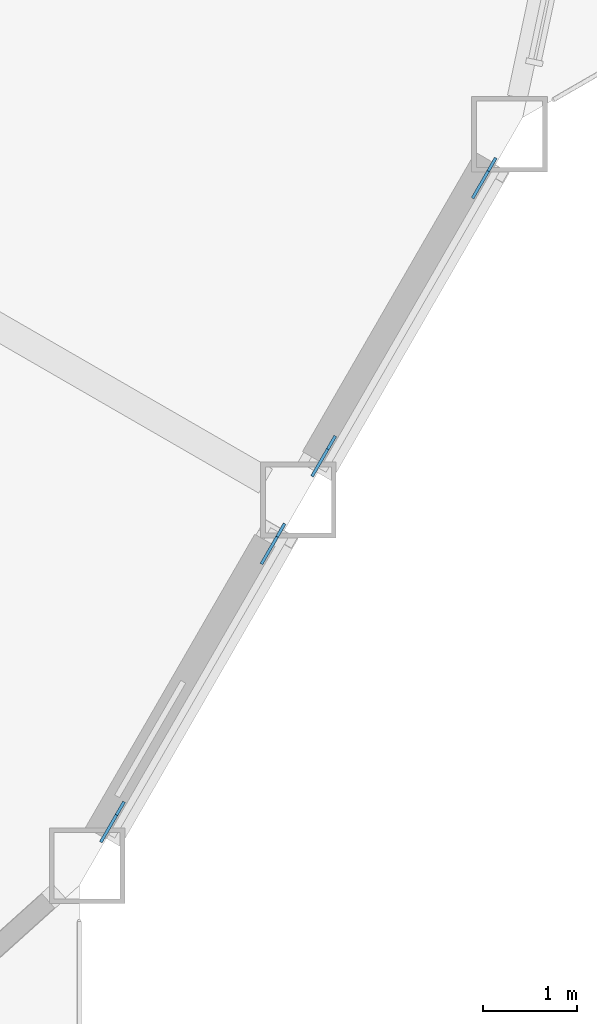
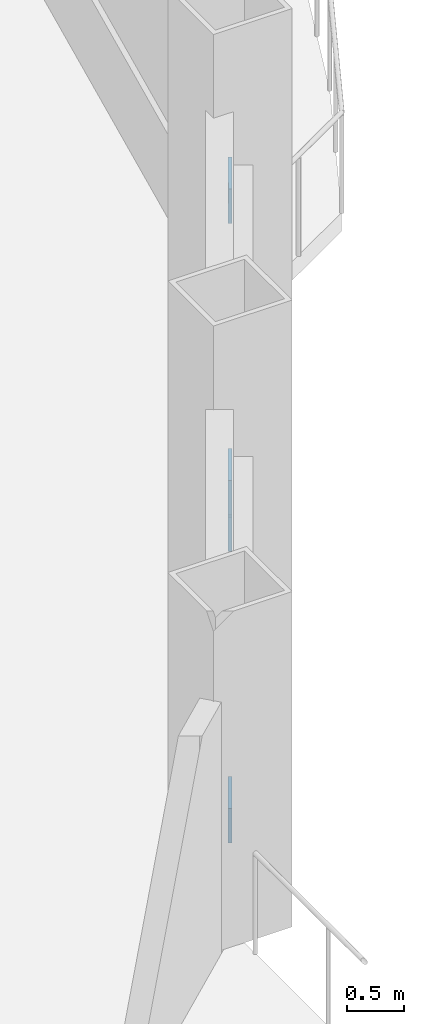
# One storey, part 18 of 24: 4 discrete accessories.
"""IFC4 building model written with IfcOpenShell, lengths in metres."""

from ifc_helpers import new_model, si_unit, direction, frame, origin, origin_2d, place, context, subcontext, project, spatial, rectangle, extrude, material, material_profile, profile_set, type_object, element, save


model = new_model("IFC4")

# Units and contexts
model_context = context("Model", 3, precision=1e-05, world=origin(), true_north=direction((0.0, 1.0)))
body_context = subcontext(model_context, "Body", "Model", "MODEL_VIEW")
ifc_project = project(units=[si_unit("LENGTHUNIT", "METRE"), si_unit("AREAUNIT", "SQUARE_METRE"), si_unit("VOLUMEUNIT", "CUBIC_METRE"), si_unit("PLANEANGLEUNIT", "RADIAN"), si_unit("MASSUNIT", "GRAM", prefix="KILO")], contexts=[model_context])

# Site, building, storey
site_placement = place(None, origin())
site = spatial("IfcSite", under=ifc_project, at=site_placement, CompositionType="ELEMENT")
building_placement = place(site_placement, origin())
building = spatial("IfcBuilding", under=site, at=building_placement, Name="Cormorant Prow Tower", CompositionType="ELEMENT")
storey_placement = place(building_placement, frame((0.0, 0.0, 201.60009765625)))
storey = spatial("IfcBuildingStorey", under=building, at=storey_placement, Name="L44", CompositionType="ELEMENT", Elevation=201.60009765625)

# Discrete accessories
ifc_material = material(Name="Structural steel ASTM A500 Gr C", Category="steel")
ifc_material_profile = material_profile(ifc_material, rectangle(XDim=0.031982421875, YDim=0.506103515625, at=origin_2d()), Name="Gusset plate 32x506")
ifc_profile_set = profile_set([ifc_material_profile], Name="Structural steel ASTM A500 Gr C")
discrete_accessory_type = type_object("IfcDiscreteAccessoryType", Name="Gusset plate 32x506", PredefinedType="BRACKET", material=ifc_profile_set)
discrete_accessory_1_placement = place(storey_placement, frame((26.17431640625, -19.463623046875, 0.83544921875), z_axis=(-0.47373689254, -0.821190460264, -0.318150254784), x_axis=(0.866197837791, -0.499701216534, 0.0)))
element("IfcDiscreteAccessory", 1, at=discrete_accessory_1_placement, inside=storey, type_object=discrete_accessory_type, Name="Gusset plate GP2 L44.ESE00.g0", PredefinedType="BRACKET", context=body_context, shape_type="SweptSolid", body=[
    extrude(rectangle(XDim=0.031982421875, YDim=0.506103515625, at=origin_2d()), origin(), (0.0, 0.0, 1.0), 0.349853515625),
])
for number, where, z_axis, x_axis, name in (
    (2, (27.7080078125, -16.807373046875, 1.865234375), (0.4742777402, 0.820918970906, 0.31804507284), (-0.86587923604, 0.500253084543, 0.0), "Gusset plate GP2 L44.ESE00.g1"),
    (3, (28.40966796875, -15.59228515625, 0.83544921875), (-0.4742777402, -0.820918970906, -0.31804507284), (0.86587923604, -0.500253084543, 0.0), "Gusset plate GP2 L44.ESE01.g0"),
):
    element("IfcDiscreteAccessory", number, at=place(storey_placement, frame(where, z_axis=z_axis, x_axis=x_axis)), inside=storey, type_object=discrete_accessory_type, Name=name, PredefinedType="BRACKET", context=body_context, shape_type="SweptSolid", body=[
        extrude(rectangle(XDim=0.031982421875, YDim=0.506103515625, at=origin_2d()), origin(), (0.0, 0.0, 1.0), 0.35009765625),
    ])
discrete_accessory_2_placement = place(storey_placement, frame((29.943359375, -12.935791015625, 1.865234375), z_axis=(0.47373689254, 0.821190460264, 0.318150254784), x_axis=(-0.866197837791, 0.499701216534, 0.0)))
element("IfcDiscreteAccessory", 4, at=discrete_accessory_2_placement, inside=storey, type_object=discrete_accessory_type, Name="Gusset plate GP2 L44.ESE01.g1", PredefinedType="BRACKET", context=body_context, shape_type="SweptSolid", body=[
    extrude(rectangle(XDim=0.031982421875, YDim=0.506103515625, at=origin_2d()), origin(), (0.0, 0.0, 1.0), 0.349853515625),
])

save(model, "model.ifc")
